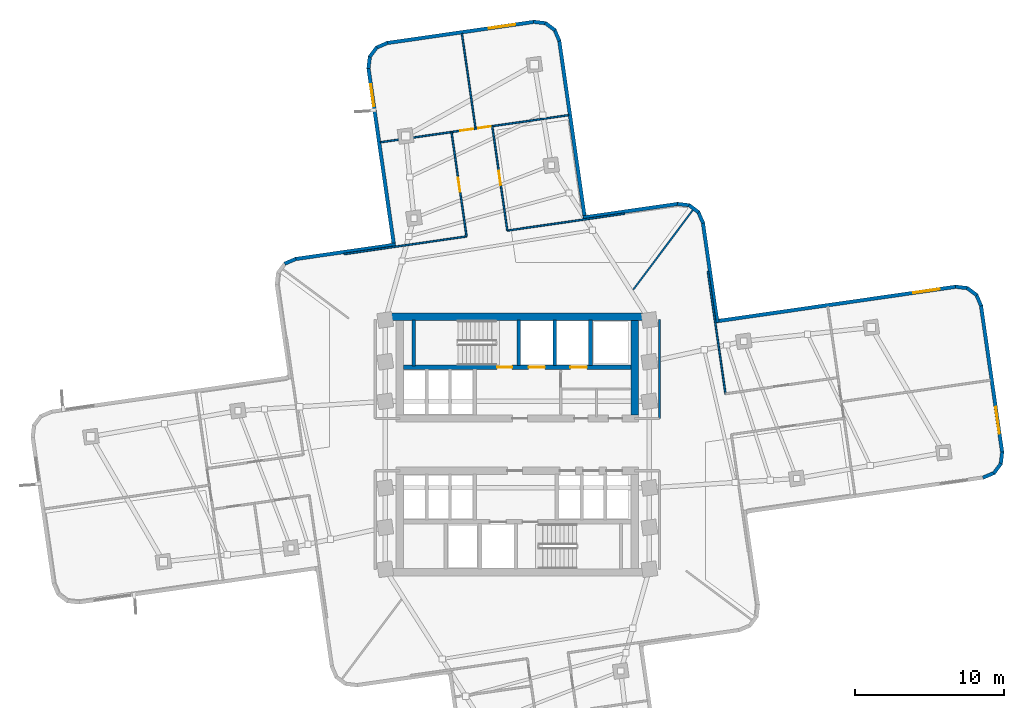
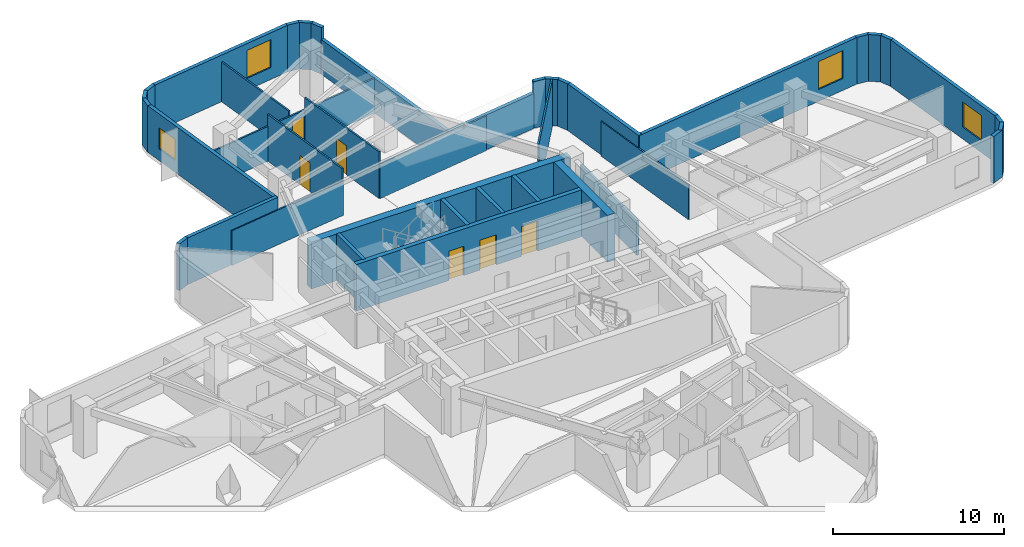
# One storey, part 5 of 10: 40 walls, 7 doors, 4 windows, 11 openings.
"""IFC4 building model written with IfcOpenShell, lengths in metres."""

from ifc_helpers import new_model, si_unit, direction, frame, frame_2d, origin, place, context, subcontext, project, spatial, rectangle, extrude, material, layer, layer_set, type_object, element, fill, save


model = new_model("IFC4")

# Units and contexts
model_context = context("Model", 3, precision=1e-05, world=origin(), true_north=direction((0.0, 1.0)))
body_context = subcontext(model_context, "Body", "Model", "MODEL_VIEW")
ifc_project = project(units=[si_unit("LENGTHUNIT", "METRE"), si_unit("AREAUNIT", "SQUARE_METRE"), si_unit("VOLUMEUNIT", "CUBIC_METRE"), si_unit("PLANEANGLEUNIT", "RADIAN"), si_unit("MASSUNIT", "GRAM", prefix="KILO")], contexts=[model_context])

# Site, building, storey
site_placement = place(None, origin())
site = spatial("IfcSite", under=ifc_project, at=site_placement, CompositionType="ELEMENT")
building_placement = place(site_placement, origin())
building = spatial("IfcBuilding", under=site, at=building_placement, Name="Solmarez Civic Tower", CompositionType="ELEMENT")
storey_placement = place(building_placement, frame((0.0, 0.0, 85.679931640625)))
storey = spatial("IfcBuildingStorey", under=building, at=storey_placement, Name="L22", CompositionType="ELEMENT", Elevation=85.679931640625)

# Walls
ifc_material_1 = material(Name="Concrete C60/75", Category="concrete")
ifc_layer_1 = layer(ifc_material_1, 0.5)
ifc_layer_set_1 = layer_set([ifc_layer_1], Name="Concrete C60/75")
wall_type_1 = type_object("IfcWallType", Name="WALL-CORE-500", PredefinedType="SHEAR", material=ifc_layer_set_1)
wall_1_placement = place(storey_placement, frame((-8.780029296875, 8.56005859375, 0.0), z_axis=(0.0, 0.0, 1.0), x_axis=(1.0, 0.0, 0.0)))
element("IfcWall", 1, at=wall_1_placement, inside=storey, type_object=wall_type_1, Name="L22 Split-Core Structural Wall NCW-N-L22", PredefinedType="SHEAR", context=body_context, shape_type="SweptSolid", body=[
    extrude(rectangle(XDim=17.56005859375, YDim=0.5, at=frame_2d((8.780029296875, 0.0))), origin(), (0.0, 0.0, 1.0), 3.340087890625),
])
wall_2_placement = place(storey_placement, frame((7.8701171875, 8.31005859375, 0.0), z_axis=(0.0, 0.0, 1.0), x_axis=(0.0, -1.0, 0.0)))
element("IfcWall", 2, at=wall_2_placement, inside=storey, type_object=wall_type_1, Name="L22 Split-Core Structural Wall NCW-E-L22", PredefinedType="SHEAR", context=body_context, shape_type="SweptSolid", body=[
    extrude(rectangle(XDim=6.31005859375, YDim=0.5, at=frame_2d((3.155029296875, 0.0))), origin(), (0.0, 0.0, 1.0), 3.340087890625),
])
ifc_material_2 = material(Name="Precast concrete C40/50", Category="concrete")
ifc_layer_2 = layer(ifc_material_2, 0.239990234375)
ifc_layer_set_2 = layer_set([ifc_layer_2], Name="Precast concrete C40/50")
wall_type_2 = type_object("IfcWallType", Name="WALL-EXT-240", PredefinedType="SOLIDWALL", material=ifc_layer_set_2)
wall_3_placement = place(storey_placement, frame((-15.60009765625, 12.1201171875, 0.0), z_axis=(0.0, 0.0, 1.0), x_axis=(0.918795004047, 0.394735025731, 0.0)))
element("IfcWall", 3, at=wall_3_placement, inside=storey, type_object=wall_type_2, Name="L22 Exterior Precast Wall 16", PredefinedType="SOLIDWALL", context=body_context, shape_type="SweptSolid", body=[
    extrude(rectangle(XDim=0.83056640625, YDim=0.239990234375, at=frame_2d((0.415283203125, 0.0))), origin(), (0.0, 0.0, 1.0), 3.340087890625),
])
wall_4_placement = place(storey_placement, frame((-14.885009765625, 12.43408203125, 0.0), z_axis=(0.0, 0.0, 1.0), x_axis=(0.989767068769, 0.142692500085, 0.0)))
element("IfcWall", 4, at=wall_4_placement, inside=storey, type_object=wall_type_2, Name="L22 Exterior Precast Wall 17", PredefinedType="SOLIDWALL", context=body_context, shape_type="SweptSolid", body=[
    extrude(rectangle(XDim=6.775390625, YDim=0.239990234375, at=frame_2d((3.3876953125, 0.0))), origin(), (0.0, 0.0, 1.0), 3.340087890625),
])

# Wall, opening, window
wall_5_placement = place(storey_placement, frame((-8.260009765625, 13.2919921875, 0.0), z_axis=(0.0, 0.0, 1.0), x_axis=(-0.14267798931, 0.989769160646, 0.0)))
wall_5 = element("IfcWall", 5, at=wall_5_placement, inside=storey, type_object=wall_type_2, Name="L22 Exterior Precast Wall 20", PredefinedType="SOLIDWALL", context=body_context, shape_type="SweptSolid", body=[
    extrude(rectangle(XDim=12.075439453125, YDim=0.239990234375, at=frame_2d((6.03759765625, 0.0))), origin(), (0.0, 0.0, 1.0), 3.340087890625),
])
opening_1_placement = place(wall_5_placement, frame((9.47607421875, 0.0, 0.85009765625)))
opening_1 = element("IfcOpeningElement", 6, at=opening_1_placement, cuts=wall_5, Name="Opening W-14", PredefinedType="OPENING", context=body_context, shape_type="SweptSolid", body=[
    extrude(rectangle(XDim=1.5, YDim=1.5, at=frame_2d((0.75, 0.75))), frame((0.0, 0.1298828125, 0.0), z_axis=(0.0, -1.0, 0.0), x_axis=(1.0, 0.0, 0.0)), (0.0, 0.0, 1.0), 0.260009765625),
])
ifc_material_3 = material(Name="Solar Control Bronze-Tinted Insulating Glass", Category="glass")
window_type_1 = type_object("IfcWindowType", Name="WIN-1500X1500", PartitioningType="SINGLE_PANEL", PredefinedType="WINDOW", material=ifc_material_3)
window_1_placement = place(opening_1_placement, origin())
window_1 = element("IfcWindow", 7, at=window_1_placement, inside=storey, type_object=window_type_1, Name="L22 Exterior Facade Window 20", OverallHeight=1.5, OverallWidth=1.5, PartitioningType="SINGLE_PANEL", PredefinedType="WINDOW", context=body_context, shape_type="SweptSolid", body=[
    extrude(rectangle(XDim=1.5, YDim=1.5, at=frame_2d((0.75, 0.75))), frame((0.0, 0.030029296875, 0.0), z_axis=(0.0, -1.0, 0.0), x_axis=(1.0, 0.0, 0.0)), (0.0, 0.0, 1.0), 0.06005859375),
])
fill(opening_1, window_1)

# Walls
wall_6_placement = place(storey_placement, frame((-9.98193359375, 25.194091796875, 0.0), z_axis=(0.0, 0.0, 1.0), x_axis=(0.117847211411, 0.993031739051, 0.0)))
element("IfcWall", 8, at=wall_6_placement, inside=storey, type_object=wall_type_2, Name="L22 Exterior Precast Wall 21", PredefinedType="SOLIDWALL", context=body_context, shape_type="SweptSolid", body=[
    extrude(rectangle(XDim=0.830810546875, YDim=0.239990234375, at=frame_2d((0.41552734375, 0.0))), origin(), (0.0, 0.0, 1.0), 3.340087890625),
])
wall_7_placement = place(storey_placement, frame((-9.902099609375, 25.97412109375, 0.0), z_axis=(0.0, 0.0, 1.0), x_axis=(0.599903963027, 0.800072018724, 0.0)))
element("IfcWall", 9, at=wall_7_placement, inside=storey, type_object=wall_type_2, Name="L22 Exterior Precast Wall 22", PredefinedType="SOLIDWALL", context=body_context, shape_type="SweptSolid", body=[
    extrude(rectangle(XDim=0.8134765625, YDim=0.239990234375, at=frame_2d((0.40673828125, 0.0))), origin(), (0.0, 0.0, 1.0), 3.340087890625),
])
wall_8_placement = place(storey_placement, frame((-9.451904296875, 26.594970703125, 0.0), z_axis=(0.0, 0.0, 1.0), x_axis=(0.91864251547, 0.395089773053, 0.0)))
element("IfcWall", 10, at=wall_8_placement, inside=storey, type_object=wall_type_2, Name="L22 Exterior Precast Wall 23", PredefinedType="SOLIDWALL", context=body_context, shape_type="SweptSolid", body=[
    extrude(rectangle(XDim=0.83056640625, YDim=0.239990234375, at=frame_2d((0.415283203125, 0.0))), origin(), (0.0, 0.0, 1.0), 3.340087890625),
])

# Wall, opening, window
wall_9_placement = place(storey_placement, frame((-8.737060546875, 26.908935546875, 0.0), z_axis=(0.0, 0.0, 1.0), x_axis=(0.98976517122, 0.142705661552, 0.0)))
wall_9 = element("IfcWall", 11, at=wall_9_placement, inside=storey, type_object=wall_type_2, Name="L22 Exterior Precast Wall 24", PredefinedType="SOLIDWALL", context=body_context, shape_type="SweptSolid", body=[
    extrude(rectangle(XDim=9.97900390625, YDim=0.239990234375, at=frame_2d((4.989501953125, 0.0))), origin(), (0.0, 0.0, 1.0), 3.340087890625),
])
opening_2_placement = place(wall_9_placement, frame((6.884033203125, 0.0, 0.85009765625)))
opening_2 = element("IfcOpeningElement", 12, at=opening_2_placement, cuts=wall_9, Name="Opening W-04", PredefinedType="OPENING", context=body_context, shape_type="SweptSolid", body=[
    extrude(rectangle(XDim=1.800048828125, YDim=2.0, at=frame_2d((0.89990234375, 1.0))), frame((0.0, 0.1298828125, 0.0), z_axis=(0.0, -1.0, 0.0), x_axis=(1.0, 0.0, 0.0)), (0.0, 0.0, 1.0), 0.260009765625),
])
window_type_2 = type_object("IfcWindowType", Name="WIN-1800X2000", PartitioningType="SINGLE_PANEL", PredefinedType="WINDOW", material=ifc_material_3)
window_2_placement = place(opening_2_placement, origin())
window_2 = element("IfcWindow", 13, at=window_2_placement, inside=storey, type_object=window_type_2, Name="L22 Exterior Facade Window 24", OverallHeight=2.0, OverallWidth=1.800048828125, PartitioningType="SINGLE_PANEL", PredefinedType="WINDOW", context=body_context, shape_type="SweptSolid", body=[
    extrude(rectangle(XDim=1.800048828125, YDim=2.0, at=frame_2d((0.89990234375, 1.0))), frame((0.0, 0.030029296875, 0.0), z_axis=(0.0, -1.0, 0.0), x_axis=(1.0, 0.0, 0.0)), (0.0, 0.0, 1.0), 0.06005859375),
])
fill(opening_2, window_2)

# Walls
wall_10_placement = place(storey_placement, frame((1.090087890625, 28.33203125, 0.0), z_axis=(0.0, 0.0, 1.0), x_axis=(0.992858752215, -0.119295842971, 0.0)))
element("IfcWall", 14, at=wall_10_placement, inside=storey, type_object=wall_type_2, Name="L22 Exterior Precast Wall 25", PredefinedType="SOLIDWALL", context=body_context, shape_type="SweptSolid", body=[
    extrude(rectangle(XDim=0.830810546875, YDim=0.239990234375, at=frame_2d((0.41552734375, 0.0))), origin(), (0.0, 0.0, 1.0), 3.340087890625),
])
wall_11_placement = place(storey_placement, frame((1.8701171875, 28.2509765625, 0.0), z_axis=(0.0, 0.0, 1.0), x_axis=(0.801078810005, -0.598558886127, 0.0)))
element("IfcWall", 15, at=wall_11_placement, inside=storey, type_object=wall_type_2, Name="L22 Exterior Precast Wall 26", PredefinedType="SOLIDWALL", context=body_context, shape_type="SweptSolid", body=[
    extrude(rectangle(XDim=0.813720703125, YDim=0.239990234375, at=frame_2d((0.40673828125, 0.0))), origin(), (0.0, 0.0, 1.0), 3.340087890625),
])
wall_12_placement = place(storey_placement, frame((2.491943359375, 27.802001953125, 0.0), z_axis=(0.0, 0.0, 1.0), x_axis=(0.39409676662, -0.919068952005, 0.0)))
element("IfcWall", 16, at=wall_12_placement, inside=storey, type_object=wall_type_2, Name="L22 Exterior Precast Wall 27", PredefinedType="SOLIDWALL", context=body_context, shape_type="SweptSolid", body=[
    extrude(rectangle(XDim=0.830078125, YDim=0.239990234375, at=frame_2d((0.4150390625, 0.0))), origin(), (0.0, 0.0, 1.0), 3.340087890625),
])
wall_13_placement = place(storey_placement, frame((2.804931640625, 27.0869140625, 0.0), z_axis=(0.0, 0.0, 1.0), x_axis=(0.142686374402, -0.989767951876, 0.0)))
element("IfcWall", 17, at=wall_13_placement, inside=storey, type_object=wall_type_2, Name="L22 Exterior Precast Wall 28", PredefinedType="SOLIDWALL", context=body_context, shape_type="SweptSolid", body=[
    extrude(rectangle(XDim=12.076416015625, YDim=0.239990234375, at=frame_2d((6.0380859375, 0.0))), origin(), (0.0, 0.0, 1.0), 2.486083984375),
])
wall_14_placement = place(storey_placement, frame((4.4189453125, 15.215087890625, 0.0), z_axis=(0.0, 0.0, 1.0), x_axis=(0.989755260243, 0.14277438433, 0.0)))
element("IfcWall", 18, at=wall_14_placement, inside=storey, type_object=wall_type_2, Name="L22 Exterior Precast Wall 31", PredefinedType="SOLIDWALL", context=body_context, shape_type="SweptSolid", body=[
    extrude(rectangle(XDim=6.415771484375, YDim=0.239990234375, at=frame_2d((3.2080078125, 0.0))), origin(), (0.0, 0.0, 1.0), 2.486083984375),
])
wall_15_placement = place(storey_placement, frame((10.718994140625, 16.1298828125, 0.0), z_axis=(0.0, 0.0, 1.0), x_axis=(0.993031739051, -0.117847211411, 0.0)))
element("IfcWall", 19, at=wall_15_placement, inside=storey, type_object=wall_type_2, Name="L22 Exterior Precast Wall 32", PredefinedType="SOLIDWALL", context=body_context, shape_type="SweptSolid", body=[
    extrude(rectangle(XDim=0.830810546875, YDim=0.239990234375, at=frame_2d((0.41552734375, 0.0))), origin(), (0.0, 0.0, 1.0), 3.340087890625),
])
wall_16_placement = place(storey_placement, frame((11.4990234375, 16.050048828125, 0.0), z_axis=(0.0, 0.0, 1.0), x_axis=(0.800072018724, -0.599903963027, 0.0)))
element("IfcWall", 20, at=wall_16_placement, inside=storey, type_object=wall_type_2, Name="L22 Exterior Precast Wall 33", PredefinedType="SOLIDWALL", context=body_context, shape_type="SweptSolid", body=[
    extrude(rectangle(XDim=0.8134765625, YDim=0.239990234375, at=frame_2d((0.40673828125, 0.0))), origin(), (0.0, 0.0, 1.0), 3.340087890625),
])
wall_17_placement = place(storey_placement, frame((12.1201171875, 15.60009765625, 0.0), z_axis=(0.0, 0.0, 1.0), x_axis=(0.394735025731, -0.918795004047, 0.0)))
element("IfcWall", 21, at=wall_17_placement, inside=storey, type_object=wall_type_2, Name="L22 Exterior Precast Wall 34", PredefinedType="SOLIDWALL", context=body_context, shape_type="SweptSolid", body=[
    extrude(rectangle(XDim=0.83056640625, YDim=0.239990234375, at=frame_2d((0.415283203125, 0.0))), origin(), (0.0, 0.0, 1.0), 3.340087890625),
])
wall_18_placement = place(storey_placement, frame((12.43408203125, 14.885009765625, 0.0), z_axis=(0.0, 0.0, 1.0), x_axis=(0.142692500085, -0.989767068769, 0.0)))
element("IfcWall", 22, at=wall_18_placement, inside=storey, type_object=wall_type_2, Name="L22 Exterior Precast Wall 35", PredefinedType="SOLIDWALL", context=body_context, shape_type="SweptSolid", body=[
    extrude(rectangle(XDim=6.775390625, YDim=0.239990234375, at=frame_2d((3.3876953125, 0.0))), origin(), (0.0, 0.0, 1.0), 3.340087890625),
])

# Wall, opening, window
wall_19_placement = place(storey_placement, frame((13.2919921875, 8.260009765625, 0.0), z_axis=(0.0, 0.0, 1.0), x_axis=(0.989770197797, 0.142670794326, 0.0)))
wall_19 = element("IfcWall", 23, at=wall_19_placement, inside=storey, type_object=wall_type_2, Name="L22 Exterior Precast Wall 38", PredefinedType="SOLIDWALL", context=body_context, shape_type="SweptSolid", body=[
    extrude(rectangle(XDim=16.275390625, YDim=0.239990234375, at=frame_2d((8.1376953125, 0.0))), origin(), (0.0, 0.0, 1.0), 3.340087890625),
])
opening_3_placement = place(wall_19_placement, frame((13.375, 0.0, 0.85009765625)))
opening_3 = element("IfcOpeningElement", 24, at=opening_3_placement, cuts=wall_19, Name="Opening W-04", PredefinedType="OPENING", context=body_context, shape_type="SweptSolid", body=[
    extrude(rectangle(XDim=1.800048828125, YDim=2.0, at=frame_2d((0.89990234375, 1.0))), frame((0.0, 0.1298828125, 0.0), z_axis=(0.0, -1.0, 0.0), x_axis=(1.0, 0.0, 0.0)), (0.0, 0.0, 1.0), 0.260009765625),
])
window_3_placement = place(opening_3_placement, origin())
window_3 = element("IfcWindow", 25, at=window_3_placement, inside=storey, type_object=window_type_2, Name="L22 Exterior Facade Window 38", OverallHeight=2.0, OverallWidth=1.800048828125, PartitioningType="SINGLE_PANEL", PredefinedType="WINDOW", context=body_context, shape_type="SweptSolid", body=[
    extrude(rectangle(XDim=1.800048828125, YDim=2.0, at=frame_2d((0.89990234375, 1.0))), frame((0.0, 0.030029296875, 0.0), z_axis=(0.0, -1.0, 0.0), x_axis=(1.0, 0.0, 0.0)), (0.0, 0.0, 1.0), 0.06005859375),
])
fill(opening_3, window_3)

# Walls
wall_20_placement = place(storey_placement, frame((29.35107421875, 10.5810546875, 0.0), z_axis=(0.0, 0.0, 1.0), x_axis=(0.992997305963, -0.118136998224, 0.0)))
element("IfcWall", 26, at=wall_20_placement, inside=storey, type_object=wall_type_2, Name="L22 Exterior Precast Wall 39", PredefinedType="SOLIDWALL", context=body_context, shape_type="SweptSolid", body=[
    extrude(rectangle(XDim=0.830810546875, YDim=0.239990234375, at=frame_2d((0.41552734375, 0.0))), origin(), (0.0, 0.0, 1.0), 3.340087890625),
])
wall_21_placement = place(storey_placement, frame((30.131103515625, 10.5009765625, 0.0), z_axis=(0.0, 0.0, 1.0), x_axis=(0.800072018724, -0.599903963027, 0.0)))
element("IfcWall", 27, at=wall_21_placement, inside=storey, type_object=wall_type_2, Name="L22 Exterior Precast Wall 40", PredefinedType="SOLIDWALL", context=body_context, shape_type="SweptSolid", body=[
    extrude(rectangle(XDim=0.8134765625, YDim=0.239990234375, at=frame_2d((0.40673828125, 0.0))), origin(), (0.0, 0.0, 1.0), 3.340087890625),
])
wall_22_placement = place(storey_placement, frame((30.751953125, 10.051025390625, 0.0), z_axis=(0.0, 0.0, 1.0), x_axis=(0.395089773053, -0.91864251547, 0.0)))
element("IfcWall", 28, at=wall_22_placement, inside=storey, type_object=wall_type_2, Name="L22 Exterior Precast Wall 41", PredefinedType="SOLIDWALL", context=body_context, shape_type="SweptSolid", body=[
    extrude(rectangle(XDim=0.83056640625, YDim=0.239990234375, at=frame_2d((0.415283203125, 0.0))), origin(), (0.0, 0.0, 1.0), 3.340087890625),
])

# Wall, opening, window
wall_23_placement = place(storey_placement, frame((31.06591796875, 9.3359375, 0.0), z_axis=(0.0, 0.0, 1.0), x_axis=(0.142705661552, -0.98976517122, 0.0)))
wall_23 = element("IfcWall", 29, at=wall_23_placement, inside=storey, type_object=wall_type_2, Name="L22 Exterior Precast Wall 42", PredefinedType="SOLIDWALL", context=body_context, shape_type="SweptSolid", body=[
    extrude(rectangle(XDim=9.97900390625, YDim=0.239990234375, at=frame_2d((4.989501953125, 0.0))), origin(), (0.0, 0.0, 1.0), 3.340087890625),
])
opening_4_placement = place(wall_23_placement, frame((6.884033203125, 0.0, 0.85009765625)))
opening_4 = element("IfcOpeningElement", 30, at=opening_4_placement, cuts=wall_23, Name="Opening W-08", PredefinedType="OPENING", context=body_context, shape_type="SweptSolid", body=[
    extrude(rectangle(XDim=1.800048828125, YDim=1.800048828125, at=frame_2d((0.89990234375, 0.89990234375))), frame((0.0, 0.1298828125, 0.0), z_axis=(0.0, -1.0, 0.0), x_axis=(1.0, 0.0, 0.0)), (0.0, 0.0, 1.0), 0.260009765625),
])
window_type_3 = type_object("IfcWindowType", Name="WIN-1800X1800", PartitioningType="SINGLE_PANEL", PredefinedType="WINDOW", material=ifc_material_3)
window_4_placement = place(opening_4_placement, origin())
window_4 = element("IfcWindow", 31, at=window_4_placement, inside=storey, type_object=window_type_3, Name="L22 Exterior Facade Window 42", OverallHeight=1.800048828125, OverallWidth=1.800048828125, PartitioningType="SINGLE_PANEL", PredefinedType="WINDOW", context=body_context, shape_type="SweptSolid", body=[
    extrude(rectangle(XDim=1.800048828125, YDim=1.800048828125, at=frame_2d((0.89990234375, 0.89990234375))), frame((0.0, 0.030029296875, 0.0), z_axis=(0.0, -1.0, 0.0), x_axis=(1.0, 0.0, 0.0)), (0.0, 0.0, 1.0), 0.06005859375),
])
fill(opening_4, window_4)

# Walls
wall_24_placement = place(storey_placement, frame((32.489013671875, -0.490966796875, 0.0), z_axis=(0.0, 0.0, 1.0), x_axis=(-0.119295842971, -0.992858752215, 0.0)))
element("IfcWall", 32, at=wall_24_placement, inside=storey, type_object=wall_type_2, Name="L22 Exterior Precast Wall 43", PredefinedType="SOLIDWALL", context=body_context, shape_type="SweptSolid", body=[
    extrude(rectangle(XDim=0.830810546875, YDim=0.239990234375, at=frame_2d((0.41552734375, 0.0))), origin(), (0.0, 0.0, 1.0), 3.340087890625),
])
wall_25_placement = place(storey_placement, frame((32.407958984375, -1.27099609375, 0.0), z_axis=(0.0, 0.0, 1.0), x_axis=(-0.598415049045, -0.801186263659, 0.0)))
element("IfcWall", 33, at=wall_25_placement, inside=storey, type_object=wall_type_2, Name="L22 Exterior Precast Wall 44", PredefinedType="SOLIDWALL", context=body_context, shape_type="SweptSolid", body=[
    extrude(rectangle(XDim=0.81396484375, YDim=0.239990234375, at=frame_2d((0.406982421875, 0.0))), origin(), (0.0, 0.0, 1.0), 3.340087890625),
])
wall_26_placement = place(storey_placement, frame((31.958984375, -1.89306640625, 0.0), z_axis=(0.0, 0.0, 1.0), x_axis=(-0.919175455153, -0.393848299024, 0.0)))
element("IfcWall", 34, at=wall_26_placement, inside=storey, type_object=wall_type_2, Name="L22 Exterior Precast Wall 45", PredefinedType="SOLIDWALL", context=body_context, shape_type="SweptSolid", body=[
    extrude(rectangle(XDim=0.830078125, YDim=0.239990234375, at=frame_2d((0.4150390625, 0.0))), origin(), (0.0, 0.0, 1.0), 3.340087890625),
])
ifc_material_4 = material(Name="Gypsum Board Acoustic Steel-Stud Partition", Category="steel")
ifc_layer_3 = layer(ifc_material_4, 0.14990234375)
ifc_layer_set_3 = layer_set([ifc_layer_3], Name="Gypsum Board Acoustic Steel-Stud Partition")
wall_type_3 = type_object("IfcWallType", Name="WALL-INT-FIRE-150", PredefinedType="PARTITIONING", material=ifc_layer_set_3)
wall_27_placement = place(storey_placement, frame((9.52001953125, 1.75, 0.0), z_axis=(0.0, 0.0, 1.0), x_axis=(0.0, 1.0, 0.0)))
element("IfcWall", 35, at=wall_27_placement, inside=storey, type_object=wall_type_3, Name="L22 Interior Partition CHW-L22-EN1", PredefinedType="PARTITIONING", context=body_context, shape_type="SweptSolid", body=[
    extrude(rectangle(XDim=6.6298828125, YDim=0.14990234375, at=frame_2d((3.31494140625, 0.0))), origin(), (0.0, 0.0, 1.0), 2.486083984375),
])
ifc_layer_4 = layer(ifc_material_4, 0.110107421875)
ifc_layer_set_4 = layer_set([ifc_layer_4], Name="Gypsum Board Acoustic Steel-Stud Partition")
wall_type_4 = type_object("IfcWallType", Name="WALL-INT-PART-110", PredefinedType="PARTITIONING", material=ifc_layer_set_4)
wall_28_placement = place(storey_placement, frame((7.76611328125, 10.3798828125, 0.0), z_axis=(0.0, 0.0, 1.0), x_axis=(0.598966195252, 0.800774310867, 0.0)))
element("IfcWall", 36, at=wall_28_placement, inside=storey, type_object=wall_type_4, Name="L22 Interior Partition PT-L22-QDIV-1", PredefinedType="PARTITIONING", context=body_context, shape_type="SweptSolid", body=[
    extrude(rectangle(XDim=6.691162109375, YDim=0.110107421875, at=frame_2d((3.345703125, 0.0))), origin(), (0.0, 0.0, 1.0), 3.340087890625),
])
for number, where, z_axis, x_axis, name in (
    (37, (13.948974609375, 3.39404296875, 0.0), (0.0, 0.0, 1.0), (-0.142725091033, 0.989762369657, 0.0), "L22 Interior Partition PT-L22-E-EFL"),
    (38, (-3.39404296875, 13.948974609375, 0.0), (0.0, 0.0, 1.0), (-0.989762369657, -0.142725091033, 0.0), "L22 Interior Partition PT-L22-N-EFL"),
):
    element("IfcWall", number, at=place(storey_placement, frame(where, z_axis=z_axis, x_axis=x_axis)), inside=storey, type_object=wall_type_4, Name=name, PredefinedType="PARTITIONING", context=body_context, shape_type="SweptSolid", body=[
        extrude(rectangle(XDim=8.309814453125, YDim=0.110107421875, at=frame_2d((4.15478515625, 0.0))), origin(), (0.0, 0.0, 1.0), 2.486083984375),
    ])
wall_29_placement = place(storey_placement, frame((7.18603515625, 15.47412109375, 0.0), z_axis=(0.0, 0.0, 1.0), x_axis=(-0.989754461648, -0.142779920322, 0.0)))
element("IfcWall", 39, at=wall_29_placement, inside=storey, type_object=wall_type_4, Name="L22 Interior Partition PT-L22-N-EFR", PredefinedType="PARTITIONING", context=body_context, shape_type="SweptSolid", body=[
    extrude(rectangle(XDim=7.949462890625, YDim=0.110107421875, at=frame_2d((3.974609375, 0.0))), origin(), (0.0, 0.0, 1.0), 2.486083984375),
])

# Wall, opening, door
wall_30_placement = place(storey_placement, frame((-4.412109375, 20.945068359375, 0.0), z_axis=(0.0, 0.0, 1.0), x_axis=(0.142576652211, -0.989783763377, 0.0)))
wall_30 = element("IfcWall", 40, at=wall_30_placement, inside=storey, type_object=wall_type_4, Name="L22 Interior Partition PT-L22-N-SL", PredefinedType="PARTITIONING", context=body_context, shape_type="SweptSolid", body=[
    extrude(rectangle(XDim=7.0703125, YDim=0.110107421875, at=frame_2d((3.53515625, 0.0))), origin(), (0.0, 0.0, 1.0), 3.340087890625),
])
opening_5_placement = place(wall_30_placement, frame((3.0849609375, 0.0, 0.0)))
opening_5 = element("IfcOpeningElement", 41, at=opening_5_placement, cuts=wall_30, Name="Opening D-10", PredefinedType="OPENING", context=body_context, shape_type="SweptSolid", body=[
    extrude(rectangle(XDim=0.949951171875, YDim=2.080078125, at=frame_2d((0.47509765625, 1.0400390625))), frame((0.0, 0.06494140625, 0.0), z_axis=(0.0, -1.0, 0.0), x_axis=(1.0, 0.0, 0.0)), (0.0, 0.0, 1.0), 0.130126953125),
])
ifc_material_5 = material(Name="Solid-Core Timber Ministry Office Door", Category="wood")
door_type_1 = type_object("IfcDoorType", Name="DOOR-INT-950", OperationType="NOTDEFINED", PredefinedType="DOOR", material=ifc_material_5)
door_1_placement = place(opening_5_placement, origin())
door_1 = element("IfcDoor", 42, at=door_1_placement, inside=storey, type_object=door_type_1, Name="L22 Diplomatic Sitting Lounge North Door", OperationType="SINGLE_SWING_LEFT", OverallHeight=2.080078125, OverallWidth=0.949951171875, PredefinedType="DOOR", context=body_context, shape_type="SweptSolid", body=[
    extrude(rectangle(XDim=0.949951171875, YDim=2.080078125, at=frame_2d((0.47509765625, 1.0400390625))), frame((0.0, 0.02490234375, 0.0), z_axis=(0.0, -1.0, 0.0), x_axis=(1.0, 0.0, 0.0)), (0.0, 0.0, 1.0), 0.050048828125),
])
fill(opening_5, door_1)

wall_31_placement = place(storey_placement, frame((-0.672119140625, 14.341064453125, 0.0), z_axis=(0.0, 0.0, 1.0), x_axis=(-0.142702521312, 0.989765623979, 0.0)))
wall_31 = element("IfcWall", 43, at=wall_31_placement, inside=storey, type_object=wall_type_4, Name="L22 Interior Partition PT-L22-N-SR", PredefinedType="PARTITIONING", context=body_context, shape_type="SweptSolid", body=[
    extrude(rectangle(XDim=7.069091796875, YDim=0.110107421875, at=frame_2d((3.53466796875, 0.0))), origin(), (0.0, 0.0, 1.0), 3.340087890625),
])
opening_6_placement = place(wall_31_placement, frame((3.0849609375, 0.0, 0.0)))
opening_6 = element("IfcOpeningElement", 44, at=opening_6_placement, cuts=wall_31, Name="Opening D-10", PredefinedType="OPENING", context=body_context, shape_type="SweptSolid", body=[
    extrude(rectangle(XDim=0.949951171875, YDim=2.080078125, at=frame_2d((0.47509765625, 1.0400390625))), frame((0.0, 0.06494140625, 0.0), z_axis=(0.0, -1.0, 0.0), x_axis=(1.0, 0.0, 0.0)), (0.0, 0.0, 1.0), 0.130126953125),
])
door_2_placement = place(opening_6_placement, origin())
door_2 = element("IfcDoor", 45, at=door_2_placement, inside=storey, type_object=door_type_1, Name="L22 Protocol Reception Room North Door", OperationType="SINGLE_SWING_RIGHT", OverallHeight=2.080078125, OverallWidth=0.949951171875, PredefinedType="DOOR", context=body_context, shape_type="SweptSolid", body=[
    extrude(rectangle(XDim=0.949951171875, YDim=2.080078125, at=frame_2d((0.47509765625, 1.0400390625))), frame((0.0, 0.02490234375, 0.0), z_axis=(0.0, -1.0, 0.0), x_axis=(1.0, 0.0, 0.0)), (0.0, 0.0, 1.0), 0.050048828125),
])
fill(opening_6, door_2)

# Wall
wall_32_placement = place(storey_placement, frame((-2.80810546875, 21.237060546875, 0.0), z_axis=(0.0, 0.0, 1.0), x_axis=(-0.142573953355, 0.989784152139, 0.0)))
element("IfcWall", 46, at=wall_32_placement, inside=storey, type_object=wall_type_4, Name="L22 Interior Partition PT-L22-N-TM", PredefinedType="PARTITIONING", context=body_context, shape_type="SweptSolid", body=[
    extrude(rectangle(XDim=6.375244140625, YDim=0.110107421875, at=frame_2d((3.1875, 0.0))), origin(), (0.0, 0.0, 1.0), 2.83203125),
])

# Wall, openings, doors
wall_33_placement = place(storey_placement, frame((-9.177978515625, 20.258056640625, 0.0), z_axis=(0.0, 0.0, 1.0), x_axis=(0.989782205751, 0.142587465011, 0.0)))
wall_33 = element("IfcWall", 47, at=wall_33_placement, inside=storey, type_object=wall_type_4, Name="L22 Interior Partition PT-L22-N-END", PredefinedType="PARTITIONING", context=body_context, shape_type="SweptSolid", body=[
    extrude(rectangle(XDim=12.749267578125, YDim=0.110107421875, at=frame_2d((6.37451171875, 0.0))), origin(), (0.0, 0.0, 1.0), 2.486083984375),
])
opening_7_placement = place(wall_33_placement, frame((6.614990234375, 0.0, 0.0)))
opening_7 = element("IfcOpeningElement", 48, at=opening_7_placement, cuts=wall_33, Name="Opening D-14", PredefinedType="OPENING", context=body_context, shape_type="SweptSolid", body=[
    extrude(rectangle(XDim=0.860107421875, YDim=2.0400390625, at=frame_2d((0.43017578125, 1.02001953125))), frame((0.0, 0.06494140625, 0.0), z_axis=(0.0, -1.0, 0.0), x_axis=(1.0, 0.0, 0.0)), (0.0, 0.0, 1.0), 0.130126953125),
])
opening_8_placement = place(wall_33_placement, frame((5.4150390625, 0.0, 0.0)))
opening_8 = element("IfcOpeningElement", 49, at=opening_8_placement, cuts=wall_33, Name="Opening D-14", PredefinedType="OPENING", context=body_context, shape_type="SweptSolid", body=[
    extrude(rectangle(XDim=0.860107421875, YDim=2.0400390625, at=frame_2d((0.43017578125, 1.02001953125))), frame((0.0, 0.06494140625, 0.0), z_axis=(0.0, -1.0, 0.0), x_axis=(1.0, 0.0, 0.0)), (0.0, 0.0, 1.0), 0.130126953125),
])
ifc_material_6 = material(Name="Timber Storage and Pantry Door", Category="wood")
door_type_2 = type_object("IfcDoorType", Name="DOOR-INT-850", OperationType="NOTDEFINED", PredefinedType="DOOR", material=ifc_material_6)
door_3_placement = place(opening_7_placement, origin())
door_3 = element("IfcDoor", 50, at=door_3_placement, inside=storey, type_object=door_type_2, Name="L22 Executive Boardroom Sixth North Door", OperationType="SINGLE_SWING_RIGHT", OverallHeight=2.0400390625, OverallWidth=0.860107421875, PredefinedType="DOOR", context=body_context, shape_type="SweptSolid", body=[
    extrude(rectangle(XDim=0.860107421875, YDim=2.0400390625, at=frame_2d((0.43017578125, 1.02001953125))), frame((0.0, 0.02490234375, 0.0), z_axis=(0.0, -1.0, 0.0), x_axis=(1.0, 0.0, 0.0)), (0.0, 0.0, 1.0), 0.050048828125),
])
fill(opening_7, door_3)
door_4_placement = place(opening_8_placement, origin())
door_4 = element("IfcDoor", 51, at=door_4_placement, inside=storey, type_object=door_type_2, Name="L22 Security Control Room Fifth North Door", OperationType="SINGLE_SWING_LEFT", OverallHeight=2.0400390625, OverallWidth=0.860107421875, PredefinedType="DOOR", context=body_context, shape_type="SweptSolid", body=[
    extrude(rectangle(XDim=0.860107421875, YDim=2.0400390625, at=frame_2d((0.43017578125, 1.02001953125))), frame((0.0, 0.02490234375, 0.0), z_axis=(0.0, -1.0, 0.0), x_axis=(1.0, 0.0, 0.0)), (0.0, 0.0, 1.0), 0.050048828125),
])
fill(opening_8, door_4)

ifc_material_7 = material(Name="Concrete C50/60", Category="concrete")
ifc_layer_5 = layer(ifc_material_7, 0.300048828125)
ifc_layer_set_5 = layer_set([ifc_layer_5], Name="Concrete C50/60")
wall_type_5 = type_object("IfcWallType", Name="WALL-STR-300", PredefinedType="SOLIDWALL", material=ifc_layer_set_5)
wall_34_placement = place(storey_placement, frame((7.6201171875, 5.179931640625, 0.0), z_axis=(0.0, 0.0, 1.0), x_axis=(-1.0, 0.0, 0.0)))
wall_34 = element("IfcWall", 52, at=wall_34_placement, inside=storey, type_object=wall_type_5, Name="L22 Split-Core Structural Wall NCW-M-L22", PredefinedType="SOLIDWALL", context=body_context, shape_type="SweptSolid", body=[
    extrude(rectangle(XDim=15.240234375, YDim=0.300048828125, at=frame_2d((7.6201171875, 0.0))), origin(), (0.0, 0.0, 1.0), 3.340087890625),
])
opening_9_placement = place(wall_34_placement, frame((5.77001953125, 0.0, 0.0)))
opening_9 = element("IfcOpeningElement", 53, at=opening_9_placement, cuts=wall_34, Name="Opening LD-02", PredefinedType="OPENING", context=body_context, shape_type="SweptSolid", body=[
    extrude(rectangle(XDim=1.10009765625, YDim=2.14990234375, at=frame_2d((0.550048828125, 1.074951171875))), frame((0.0, 0.159912109375, 0.0), z_axis=(0.0, -1.0, 0.0), x_axis=(1.0, 0.0, 0.0)), (0.0, 0.0, 1.0), 0.320068359375),
])
opening_10_placement = place(wall_34_placement, frame((2.969970703125, 0.0, 0.0)))
opening_10 = element("IfcOpeningElement", 54, at=opening_10_placement, cuts=wall_34, Name="Opening LD-03", PredefinedType="OPENING", context=body_context, shape_type="SweptSolid", body=[
    extrude(rectangle(XDim=1.10009765625, YDim=2.14990234375, at=frame_2d((0.550048828125, 1.074951171875))), frame((0.0, 0.159912109375, 0.0), z_axis=(0.0, -1.0, 0.0), x_axis=(1.0, 0.0, 0.0)), (0.0, 0.0, 1.0), 0.320068359375),
])
opening_11_placement = place(wall_34_placement, frame((7.969970703125, 0.0, 0.0)))
opening_11 = element("IfcOpeningElement", 55, at=opening_11_placement, cuts=wall_34, Name="Opening D-05", PredefinedType="OPENING", context=body_context, shape_type="SweptSolid", body=[
    extrude(rectangle(XDim=1.0, YDim=2.10009765625, at=frame_2d((0.5, 1.050048828125))), frame((0.0, 0.159912109375, 0.0), z_axis=(0.0, -1.0, 0.0), x_axis=(1.0, 0.0, 0.0)), (0.0, 0.0, 1.0), 0.320068359375),
])
ifc_material_8 = material(Name="Fire-Rated Stairwell Exit Door", Category="wood")
door_type_3 = type_object("IfcDoorType", Name="DOOR-FD90-1000", OperationType="NOTDEFINED", PredefinedType="DOOR", material=ifc_material_8)
door_5_placement = place(opening_11_placement, origin())
door_5 = element("IfcDoor", 56, at=door_5_placement, inside=storey, type_object=door_type_3, Name="L22 North Exit Stair Door ST-1", OperationType="SINGLE_SWING_LEFT", OverallHeight=2.10009765625, OverallWidth=1.0, PredefinedType="DOOR", context=body_context, shape_type="SweptSolid", body=[
    extrude(rectangle(XDim=1.0, YDim=2.10009765625, at=frame_2d((0.5, 1.050048828125))), frame((0.0, 0.02490234375, 0.0), z_axis=(0.0, -1.0, 0.0), x_axis=(1.0, 0.0, 0.0)), (0.0, 0.0, 1.0), 0.050048828125),
])
fill(opening_11, door_5)
ifc_material_9 = material(Name="Stainless Firefighting Lift Landing Sliding Door", Category="aluminium")
door_type_4 = type_object("IfcDoorType", Name="DOOR-LD-FF-1100", OperationType="DOUBLE_DOOR_SLIDING", PredefinedType="DOOR", material=ifc_material_9)
door_6_placement = place(opening_9_placement, origin())
door_6 = element("IfcDoor", 57, at=door_6_placement, inside=storey, type_object=door_type_4, Name="L22 Firefighting Lift Landing Door FFL-1", OperationType="DOUBLE_DOOR_SLIDING", OverallHeight=2.14990234375, OverallWidth=1.10009765625, PredefinedType="DOOR", context=body_context, shape_type="SweptSolid", body=[
    extrude(rectangle(XDim=1.10009765625, YDim=2.14990234375, at=frame_2d((0.550048828125, 1.074951171875))), frame((0.0, 0.02490234375, 0.0), z_axis=(0.0, -1.0, 0.0), x_axis=(1.0, 0.0, 0.0)), (0.0, 0.0, 1.0), 0.050048828125),
])
fill(opening_9, door_6)
ifc_material_10 = material(Name="Stainless Stretcher Lift Landing Sliding Door", Category="aluminium")
door_type_5 = type_object("IfcDoorType", Name="DOOR-LD-SV-1100", OperationType="DOUBLE_DOOR_SLIDING", PredefinedType="DOOR", material=ifc_material_10)
door_7_placement = place(opening_10_placement, origin())
door_7 = element("IfcDoor", 58, at=door_7_placement, inside=storey, type_object=door_type_5, Name="L22 Service Stretcher Lift Landing Door SVL-1", OperationType="DOUBLE_DOOR_SLIDING", OverallHeight=2.14990234375, OverallWidth=1.10009765625, PredefinedType="DOOR", context=body_context, shape_type="SweptSolid", body=[
    extrude(rectangle(XDim=1.10009765625, YDim=2.14990234375, at=frame_2d((0.550048828125, 1.074951171875))), frame((0.0, 0.02490234375, 0.0), z_axis=(0.0, -1.0, 0.0), x_axis=(1.0, 0.0, 0.0)), (0.0, 0.0, 1.0), 0.050048828125),
])
fill(opening_10, door_7)

# Walls
wall_35_placement = place(storey_placement, frame((-6.949951171875, 5.280029296875, 0.0), z_axis=(0.0, 0.0, 1.0), x_axis=(0.0, 1.0, 0.0)))
element("IfcWall", 59, at=wall_35_placement, inside=storey, type_object=wall_type_5, Name="L22 Split-Core Structural Wall SHW-NW-L22", PredefinedType="SOLIDWALL", context=body_context, shape_type="SweptSolid", body=[
    extrude(rectangle(XDim=3.06005859375, YDim=0.219970703125, at=frame_2d((1.530029296875, 0.0))), origin(), (0.0, 0.0, 1.0), 3.340087890625),
])
for number, where, z_axis, x_axis, name in (
    (60, (0.10009765625, 5.300048828125, 0.0), (0.0, 0.0, 1.0), (0.0, 1.0, 0.0), "L22 Split-Core Structural Wall SHW-N1-L22"),
    (61, (2.5, 5.300048828125, 0.0), (0.0, 0.0, 1.0), (0.0, 1.0, 0.0), "L22 Split-Core Structural Wall SHW-N2-L22"),
    (62, (4.89990234375, 5.300048828125, 0.0), (0.0, 0.0, 1.0), (0.0, 1.0, 0.0), "L22 Split-Core Structural Wall SHW-N3-L22"),
):
    element("IfcWall", number, at=place(storey_placement, frame(where, z_axis=z_axis, x_axis=x_axis)), inside=storey, type_object=wall_type_5, Name=name, PredefinedType="SOLIDWALL", context=body_context, shape_type="SweptSolid", body=[
        extrude(rectangle(XDim=3.0400390625, YDim=0.25, at=frame_2d((1.52001953125, 0.0))), origin(), (0.0, 0.0, 1.0), 3.340087890625),
    ])

save(model, "model.ifc")
